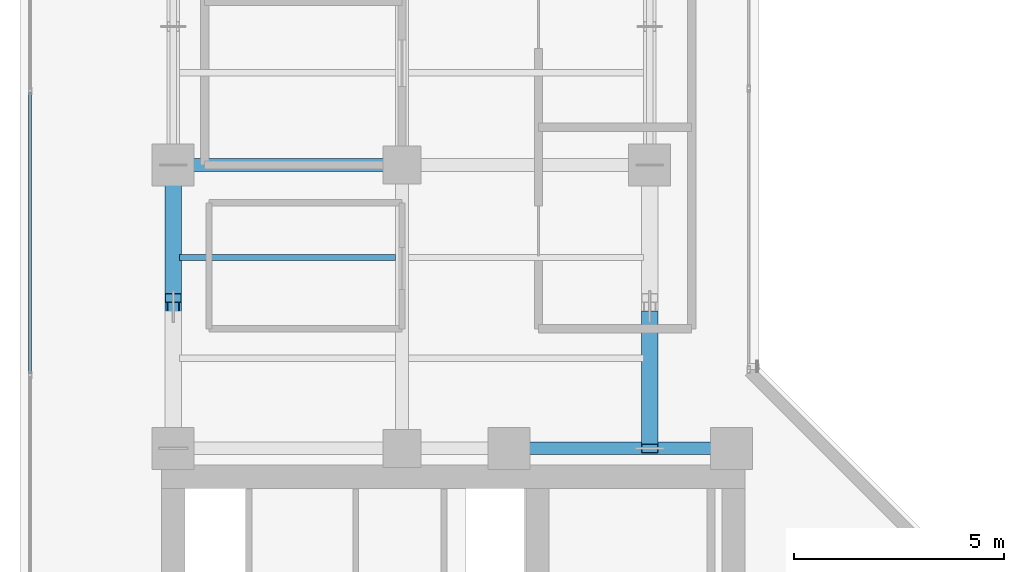
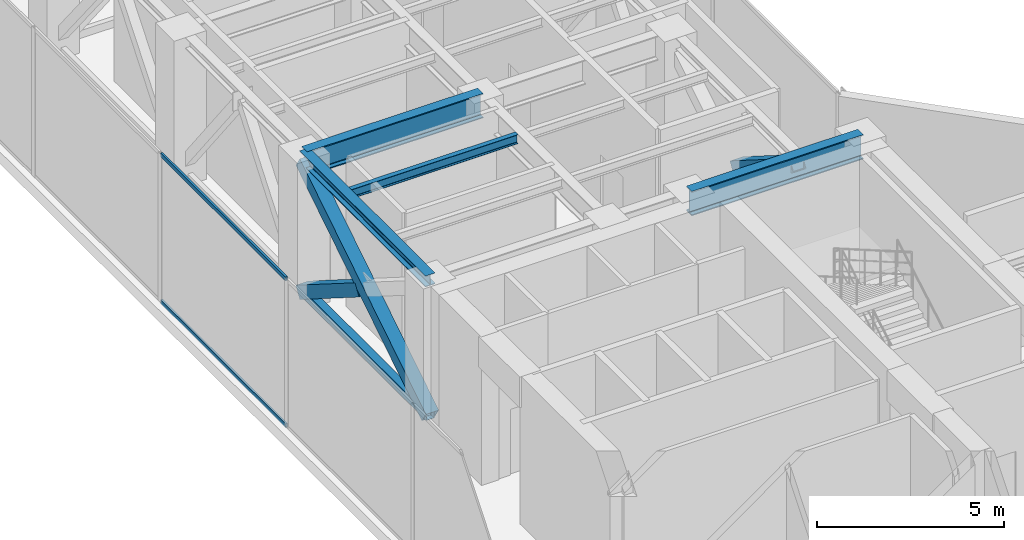
# One storey, part 10 of 31: 6 members, 4 beams, 1 element without a shape of its own.
"""IFC4 building model written with IfcOpenShell, lengths in metres."""

from ifc_helpers import new_model, si_unit, direction, frame, origin, origin_with_axes, origin_2d, place, context, subcontext, project, spatial, hollow_rectangle, i_section, extrude, source, transform, mapped, material, layer, layer_set, material_profile, profile_set, type_object, element, aggregate, save


model = new_model("IFC4")

# Units and contexts
model_context = context("Model", 3, precision=1e-05, world=origin(), true_north=direction((0.0, 1.0)))
body_context = subcontext(model_context, "Body", "Model", "MODEL_VIEW")
ifc_project = project(units=[si_unit("LENGTHUNIT", "METRE"), si_unit("AREAUNIT", "SQUARE_METRE"), si_unit("VOLUMEUNIT", "CUBIC_METRE"), si_unit("PLANEANGLEUNIT", "RADIAN"), si_unit("MASSUNIT", "GRAM", prefix="KILO")], contexts=[model_context])

# Site, building, storey
site_placement = place(None, origin())
site = spatial("IfcSite", under=ifc_project, at=site_placement, CompositionType="ELEMENT")
building_placement = place(site_placement, origin())
building = spatial("IfcBuilding", under=site, at=building_placement, Name="Kolvaren Waterfront Exchange", CompositionType="ELEMENT")
storey_placement = place(building_placement, frame((0.0, 0.0, 257.699951171875)))
storey = spatial("IfcBuildingStorey", under=building, at=storey_placement, Name="L66", CompositionType="ELEMENT", Elevation=257.699951171875)

# Beams
ifc_material_1 = material(Name="Steel S355", Category="steel")
ifc_material_profile_1 = material_profile(ifc_material_1, i_section(OverallWidth=0.300048828125, OverallDepth=0.360107421875, WebThickness=0.012451171875, FlangeThickness=0.0224609375, FilletRadius=0.027099609375, at=origin_2d()), Name="HEB360")
ifc_profile_set_1 = profile_set([ifc_material_profile_1], Name="Steel S355")
beam_type_1 = type_object("IfcBeamType", Name="STR-BM-HEB360", PredefinedType="SPANDREL", material=ifc_profile_set_1)
beam_1_placement = place(storey_placement, frame((7.449951171875, 24.449951171875, 4.679931640625), z_axis=(0.0, 1.0, 0.0), x_axis=(-1.0, 0.0, 0.0)))
element("IfcBeam", 1, at=beam_1_placement, inside=storey, type_object=beam_type_1, Name="L66 north-arm edge beam 1", PredefinedType="SPANDREL", context=body_context, shape_type="SweptSolid", body=[
    extrude(i_section(OverallWidth=0.300048828125, OverallDepth=0.360107421875, WebThickness=0.012451171875, FlangeThickness=0.0224609375, FilletRadius=0.027099609375, at=origin_2d()), origin(), (0.0, 0.0, 1.0), 6.75),
])
ifc_material_profile_2 = material_profile(ifc_material_1, i_section(OverallWidth=0.300048828125, OverallDepth=0.800048828125, WebThickness=0.017578125, FlangeThickness=0.032958984375, FilletRadius=0.030029296875, at=origin_2d()), Name="HEB800")
ifc_profile_set_2 = profile_set([ifc_material_profile_2], Name="Steel S355")
beam_type_2 = type_object("IfcBeamType", Name="STR-BM-HEB800", PredefinedType="BEAM", material=ifc_profile_set_2)
beam_2_placement = place(storey_placement, frame((15.449951171875, 24.449951171875, 4.4599609375), z_axis=(1.0, 0.0, 0.0), x_axis=(0.0, 1.0, 0.0)))
element("IfcBeam", 2, at=beam_2_placement, inside=storey, type_object=beam_type_2, Name="L66 north-arm girder 1C", PredefinedType="BEAM", context=body_context, shape_type="SweptSolid", body=[
    extrude(i_section(OverallWidth=0.300048828125, OverallDepth=0.800048828125, WebThickness=0.017578125, FlangeThickness=0.032958984375, FilletRadius=0.030029296875, at=origin_2d()), origin(), (0.0, 0.0, 1.0), 5.300048828125),
])
beam_3_placement = place(storey_placement, frame((7.449951171875, 31.199951171875, 4.4599609375), z_axis=(1.0, 0.0, 0.0), x_axis=(0.0, 1.0, 0.0)))
element("IfcBeam", 3, at=beam_3_placement, inside=storey, type_object=beam_type_2, Name="L66 north-arm girder 2A", PredefinedType="BEAM", context=body_context, shape_type="SweptSolid", body=[
    extrude(i_section(OverallWidth=0.300048828125, OverallDepth=0.800048828125, WebThickness=0.017578125, FlangeThickness=0.032958984375, FilletRadius=0.030029296875, at=origin_2d()), origin(), (0.0, 0.0, 1.0), 5.449951171875),
])
ifc_material_profile_3 = material_profile(ifc_material_1, i_section(OverallWidth=0.14990234375, OverallDepth=0.300048828125, WebThickness=0.007080078125, FlangeThickness=0.0107421875, FilletRadius=0.014892578125, at=origin_2d()), Name="IPE300")
ifc_profile_set_3 = profile_set([ifc_material_profile_3], Name="Steel S355")
beam_type_3 = type_object("IfcBeamType", Name="STR-BM-IPE300", PredefinedType="JOIST", material=ifc_profile_set_3)
beam_4_placement = place(storey_placement, frame((7.60205078125, 29.0, 4.7099609375), z_axis=(1.0, 0.0, 0.0), x_axis=(0.0, 1.0, 0.0)))
element("IfcBeam", 4, at=beam_4_placement, inside=storey, type_object=beam_type_3, Name="L66 north-arm composite joist 2A", PredefinedType="JOIST", context=body_context, shape_type="SweptSolid", body=[
    extrude(i_section(OverallWidth=0.14990234375, OverallDepth=0.300048828125, WebThickness=0.007080078125, FlangeThickness=0.0107421875, FilletRadius=0.014892578125, at=origin_2d()), origin(), (0.0, 0.0, 1.0), 5.14599609375),
])

# Members
ifc_material_profile_4 = material_profile(ifc_material_1, hollow_rectangle(XDim=0.25, YDim=0.25, WallThickness=0.012451171875, at=origin_2d()), Name="SHS250x250x12.5")
ifc_profile_set_4 = profile_set([ifc_material_profile_4], Name="Steel S355")
member_type_1 = type_object("IfcMemberType", Name="STR-BR-SHS250", PredefinedType="CHORD", material=ifc_profile_set_4)
member_1_placement = place(storey_placement, frame((7.449951171875, 24.449951171875, 0.25), z_axis=(0.0, 1.0, 0.0), x_axis=(-1.0, 0.0, 0.0)))
element("IfcMember", 5, at=member_1_placement, inside=storey, type_object=member_type_1, Name="L66 outrigger bottom chord OA3", PredefinedType="CHORD", context=body_context, shape_type="SweptSolid", body=[
    extrude(hollow_rectangle(XDim=0.25, YDim=0.25, WallThickness=0.012451171875, at=origin_2d()), origin(), (0.0, 0.0, 1.0), 6.75),
])
ifc_material_2 = material(Name="Steel S460", Category="steel")
ifc_material_profile_5 = material_profile(ifc_material_2, hollow_rectangle(XDim=0.39990234375, YDim=0.39990234375, WallThickness=0.02001953125, at=origin_2d()), Name="SHS400x400x20")
ifc_profile_set_5 = profile_set([ifc_material_profile_5], Name="Steel S460")
member_type_2 = type_object("IfcMemberType", Name="STR-BR-SHS400", PredefinedType="BRACE", material=ifc_profile_set_5)
member_2_placement = place(storey_placement, frame((7.449951171875, 24.449951171875, 0.25), z_axis=(0.0, 0.845666926357, 0.533711016999), x_axis=(-1.0, 0.0, 0.0)))
element("IfcMember", 6, at=member_2_placement, inside=storey, type_object=member_type_2, Name="L66 outrigger diagonal OA3.1", PredefinedType="BRACE", context=body_context, shape_type="SweptSolid", body=[
    extrude(hollow_rectangle(XDim=0.39990234375, YDim=0.39990234375, WallThickness=0.02001953125, at=origin_2d()), origin(), (0.0, 0.0, 1.0), 7.98193359375),
])
member_3_placement = place(storey_placement, frame((7.449951171875, 31.199951171875, 0.25), z_axis=(0.0, -0.845649720834, 0.533738278236), x_axis=(1.0, 0.0, 0.0)))
element("IfcMember", 7, at=member_3_placement, inside=storey, type_object=member_type_2, Name="L66 outrigger split diagonal OA3.2A", PredefinedType="BRACE", context=body_context, shape_type="SweptSolid", body=[
    extrude(hollow_rectangle(XDim=0.39990234375, YDim=0.39990234375, WallThickness=0.02001953125, at=origin_2d()), origin(), (0.0, 0.0, 1.0), 3.750732421875),
])
member_4_placement = place(storey_placement, frame((18.800048828125, 27.6220703125, 2.508056640625), z_axis=(0.0, -0.845668261927, 0.533708900778), x_axis=(1.0, 0.0, 0.0)))
element("IfcMember", 8, at=member_4_placement, inside=storey, type_object=member_type_2, Name="L66 outrigger split diagonal OA4.2B", PredefinedType="BRACE", context=body_context, shape_type="SweptSolid", body=[
    extrude(hollow_rectangle(XDim=0.39990234375, YDim=0.39990234375, WallThickness=0.02001953125, at=origin_2d()), origin(), (0.0, 0.0, 1.0), 3.7509765625),
])

# Curtain wall, members
ifc_material_3 = material(Name="Anodised dark bronze spandrel aluminium", Category="aluminium")
ifc_layer = layer(ifc_material_3, 0.219970703125, Name="Anodised dark bronze spandrel aluminium")
ifc_layer_set = layer_set([ifc_layer], Name="Anodised dark bronze spandrel aluminium")
curtain_wall_type = type_object("IfcCurtainWallType", Name="ARC-CW-SYS6", PredefinedType="USERDEFINED", material=ifc_layer_set)
curtain_wall_placement = place(storey_placement, origin())
curtain_wall = element("IfcCurtainWall", 9, at=curtain_wall_placement, inside=storey, type_object=curtain_wall_type, Name="L66 stick curtain wall CW6 (CW-L66-W)", ObjectType="STICK CURTAIN WALL", PredefinedType="USERDEFINED")
ifc_material_4 = material(Name="Anodised bronze aluminium 6063-T6", Category="aluminium")
ifc_material_profile_6 = material_profile(ifc_material_4, hollow_rectangle(XDim=0.06494140625, YDim=0.1298828125, WallThickness=0.00390625, at=origin_2d()), Name="ALU-TRN-130x65x4")
ifc_profile_set_6 = profile_set([ifc_material_profile_6], Name="Anodised bronze aluminium 6063-T6")
member_type_3 = type_object("IfcMemberType", Name="ARC-CWT-130", PredefinedType="USERDEFINED", material=ifc_profile_set_6)
shared_shape = source(origin_with_axes(), body_context, "Body", "SweptSolid", [
    extrude(hollow_rectangle(XDim=0.06494140625, YDim=0.1298828125, WallThickness=0.00390625, at=origin_2d()), origin(), (0.0, 0.0, 1.0), 6.691650390625),
])
member_5_placement = place(storey_placement, frame((4.0400390625, 26.237548828125, 0.032470703125), z_axis=(0.0, 1.0, 0.0), x_axis=(-1.0, 0.0, 0.0)))
member_5 = element("IfcMember", 10, at=member_5_placement, type_object=member_type_3, Name="CW6 transom 4.1", ObjectType="TRANSOM", PredefinedType="USERDEFINED", context=body_context, shape_type="MappedRepresentation", body=[
    mapped(shared_shape, transform((0.0, 0.0, 0.0), x_axis=(1.0, 0.0, 0.0), y_axis=(0.0, 1.0, 0.0), z_axis=(0.0, 0.0, 1.0), scale=1.0)),
])
member_6_placement = place(storey_placement, frame((4.0400390625, 26.237548828125, 4.82763671875), z_axis=(0.0, 1.0, 0.0), x_axis=(-1.0, 0.0, 0.0)))
member_6 = element("IfcMember", 11, at=member_6_placement, type_object=member_type_3, Name="CW6 transom 4.2", ObjectType="TRANSOM", PredefinedType="USERDEFINED", context=body_context, shape_type="MappedRepresentation", body=[
    mapped(shared_shape, transform((0.0, 0.0, 0.0), x_axis=(1.0, 0.0, 0.0), y_axis=(0.0, 1.0, 0.0), z_axis=(0.0, 0.0, 1.0), scale=1.0)),
])
aggregate(curtain_wall, [member_5, member_6])

save(model, "model.ifc")
